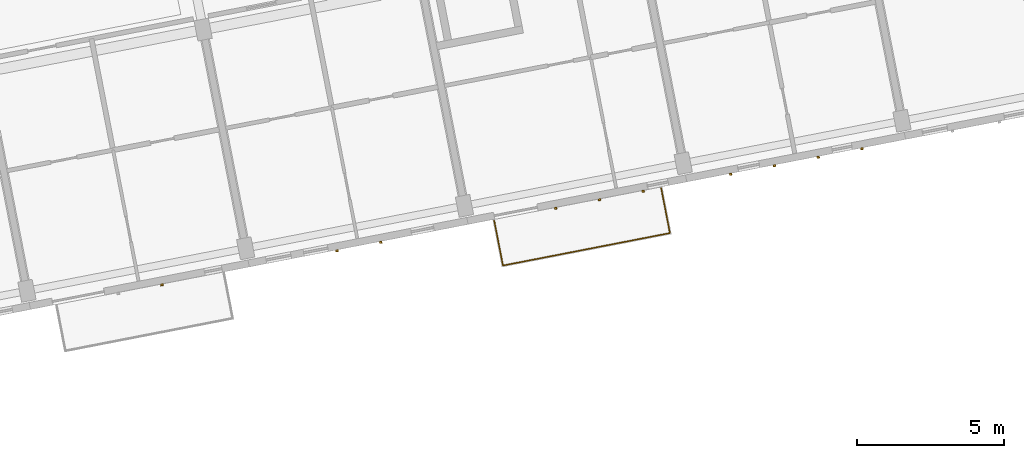
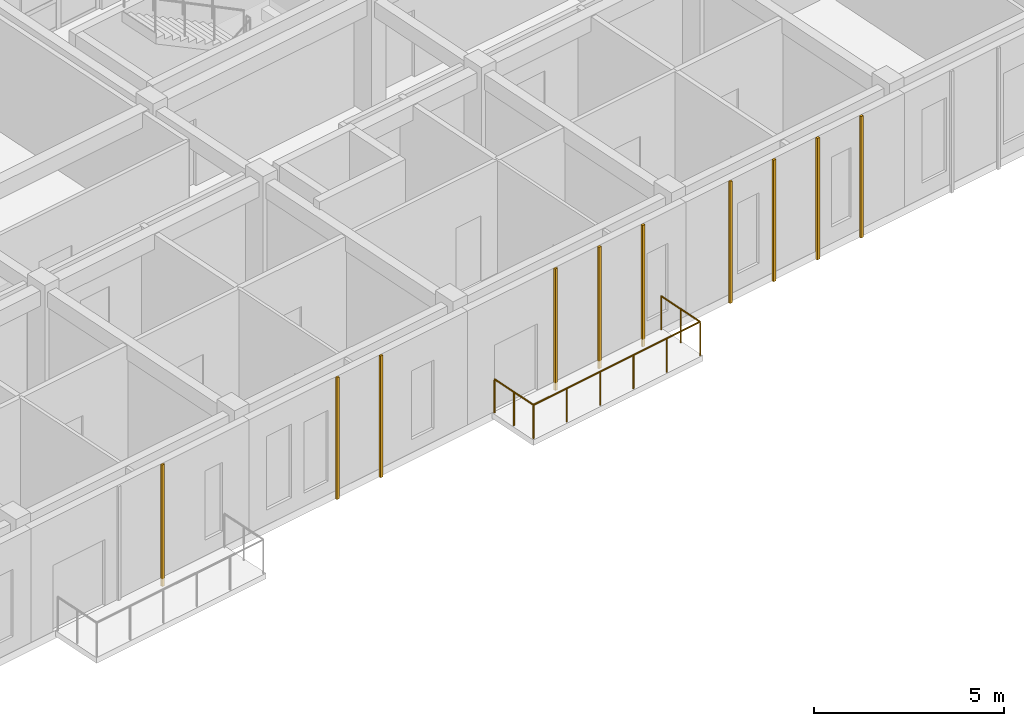
# One storey, part 141 of 150: 10 coverings, 1 railing.
"""IFC4 building model written with IfcOpenShell, lengths in metres."""

from ifc_helpers import new_model, si_unit, direction, frame, origin, origin_2d, place, context, subcontext, project, spatial, rectangle, circle, extrude, material, layer, layer_set, type_object, element, save


model = new_model("IFC4")

# Units and contexts
model_context = context("Model", 3, precision=1e-05, world=origin(), true_north=direction((0.0, 1.0)))
body_context = subcontext(model_context, "Body", "Model", "MODEL_VIEW")
ifc_project = project(units=[si_unit("LENGTHUNIT", "METRE"), si_unit("AREAUNIT", "SQUARE_METRE"), si_unit("VOLUMEUNIT", "CUBIC_METRE"), si_unit("PLANEANGLEUNIT", "RADIAN"), si_unit("MASSUNIT", "GRAM", prefix="KILO")], contexts=[model_context])

# Site, building, storey
site_placement = place(None, origin())
site = spatial("IfcSite", under=ifc_project, at=site_placement, CompositionType="ELEMENT")
building_placement = place(site_placement, origin())
building = spatial("IfcBuilding", under=site, at=building_placement, Name="Kestramere Prow Commons", CompositionType="ELEMENT")
storey_placement = place(building_placement, frame((0.0, 0.0, 4.5)))
storey = spatial("IfcBuildingStorey", under=building, at=storey_placement, Name="L01", CompositionType="ELEMENT", Elevation=4.5)

# Coverings
ifc_material_1 = material(Name="Weathered Zinc-Titanium Standing-Seam Cladding")
ifc_layer = layer(ifc_material_1, 0.074951171875)
ifc_layer_set = layer_set([ifc_layer], Name="Weathered Zinc-Titanium Standing-Seam Cladding")
covering_type = type_object("IfcCoveringType", Name="COV-CLAD-SEAM", PredefinedType="CLADDING", material=ifc_layer_set)
for number, where, z_axis, x_axis, name in (
    (1, (130.4658203125, 35.6552734375, -0.25), (0.0, 0.0, 1.0), (-0.981627183448, -0.190808995377, 0.0), "EW-D-L01-S-1 Standing-Seam Rib 2"),
    (2, (137.92626953125, 37.105224609375, -0.25), (0.0, 0.0, 1.0), (-0.981627183448, -0.190808995377, 0.0), "EW-D-L01-S-2 Standing-Seam Rib 2"),
    (3, (136.43408203125, 36.815185546875, -0.25), (0.0, 0.0, 1.0), (-0.981627183448, -0.190808995377, 0.0), "EW-D-L01-S-2 Standing-Seam Rib 3"),
    (4, (146.878662109375, 38.845458984375, -0.25), (0.0, 0.0, 1.0), (-0.981627183448, -0.190808995377, 0.0), "EW-D-L01-S-3 Standing-Seam Rib 1"),
    (5, (145.386474609375, 38.555419921875, -0.25), (0.0, 0.0, 1.0), (-0.981627183448, -0.190808995377, 0.0), "EW-D-L01-S-3 Standing-Seam Rib 2"),
    (6, (143.89453125, 38.265380859375, -0.25), (0.0, 0.0, 1.0), (-0.981627183448, -0.190808995377, 0.0), "EW-D-L01-S-3 Standing-Seam Rib 3"),
    (7, (154.339111328125, 40.295654296875, -0.25), (0.0, 0.0, 1.0), (-0.981627183448, -0.190808995377, 0.0), "EW-D-L01-S-4 Standing-Seam Rib 1"),
    (8, (152.846923828125, 40.005615234375, -0.25), (0.0, 0.0, 1.0), (-0.981627183448, -0.190808995377, 0.0), "EW-D-L01-S-4 Standing-Seam Rib 2"),
    (9, (151.35498046875, 39.715576171875, -0.25), (0.0, 0.0, 1.0), (-0.981627183448, -0.190808995377, 0.0), "EW-D-L01-S-4 Standing-Seam Rib 3"),
    (10, (149.86279296875, 39.425537109375, -0.25), (0.0, 0.0, 1.0), (-0.981627183448, -0.190808995377, 0.0), "EW-D-L01-S-4 Standing-Seam Rib 4"),
):
    element("IfcCovering", number, at=place(storey_placement, frame(where, z_axis=z_axis, x_axis=x_axis)), inside=storey, type_object=covering_type, Name=name, PredefinedType="CLADDING", context=body_context, shape_type="SweptSolid", body=[
        extrude(rectangle(XDim=0.0849609375, YDim=0.06494140625, at=origin_2d()), origin(), (0.0, 0.0, 1.0), 3.89990234375),
    ])

# Railing
ifc_material_2 = material(Name="Powder-Coated Aluminium 6063-T6", Category="aluminium")
railing_type = type_object("IfcRailingType", Name="GRD-BALC-1100", PredefinedType="BALUSTRADE", material=ifc_material_2)
railing_placement = place(storey_placement, frame((141.796142578125, 37.844970703125, 0.0)))
element("IfcRailing", 11, at=railing_placement, inside=storey, type_object=railing_type, Name="Block D L01 Balcony Guardrail 4", PredefinedType="BALUSTRADE", context=body_context, shape_type="SweptSolid", body=[
    extrude(circle(Radius=0.02392578125, at=origin_2d()), frame((0.0, 0.0, 1.076171875), z_axis=(0.190907354118, -0.981608059331, 0.0), x_axis=(0.981608059331, 0.190907354118, 0.0)), (0.0, 0.0, 1.0), 1.560302734375),
    extrude(circle(Radius=0.02392578125, at=origin_2d()), frame((0.2978515625, -1.531494140625, 1.076171875), z_axis=(0.981626779841, 0.190811071742, 0.0), x_axis=(-0.190811071742, 0.981626779841, 0.0)), (0.0, 0.0, 1.0), 5.7998046875),
    extrude(circle(Radius=0.02392578125, at=origin_2d()), frame((5.9912109375, -0.4248046875, 1.076171875), z_axis=(-0.190756568988, 0.981637372652, 0.0), x_axis=(-0.981637372652, -0.190756568988, 0.0)), (0.0, 0.0, 1.0), 1.56005859375),
    extrude(circle(Radius=0.02099609375, at=origin_2d()), origin(), (0.0, 0.0, 1.0), 1.052001953125),
    extrude(circle(Radius=0.02099609375, at=origin_2d()), frame((0.14892578125, -0.765625, 0.0)), (0.0, 0.0, 1.0), 1.052001953125),
    extrude(circle(Radius=0.02099609375, at=origin_2d()), frame((0.2978515625, -1.531494140625, 0.0)), (0.0, 0.0, 1.0), 1.052001953125),
    extrude(circle(Radius=0.02099609375, at=origin_2d()), frame((1.4365234375, -1.31005859375, 0.0)), (0.0, 0.0, 1.0), 1.052001953125),
    extrude(circle(Radius=0.02099609375, at=origin_2d()), frame((2.5751953125, -1.0888671875, 0.0)), (0.0, 0.0, 1.0), 1.052001953125),
    extrude(circle(Radius=0.02099609375, at=origin_2d()), frame((3.7138671875, -0.867431640625, 0.0)), (0.0, 0.0, 1.0), 1.052001953125),
    extrude(circle(Radius=0.02099609375, at=origin_2d()), frame((4.8525390625, -0.646240234375, 0.0)), (0.0, 0.0, 1.0), 1.052001953125),
    extrude(circle(Radius=0.02099609375, at=origin_2d()), frame((5.9912109375, -0.4248046875, 0.0)), (0.0, 0.0, 1.0), 1.052001953125),
    extrude(circle(Radius=0.02099609375, at=origin_2d()), frame((5.84228515625, 0.3408203125, 0.0)), (0.0, 0.0, 1.0), 1.052001953125),
    extrude(circle(Radius=0.02099609375, at=origin_2d()), frame((5.693603515625, 1.106689453125, 0.0)), (0.0, 0.0, 1.0), 1.052001953125),
])

save(model, "model.ifc")
